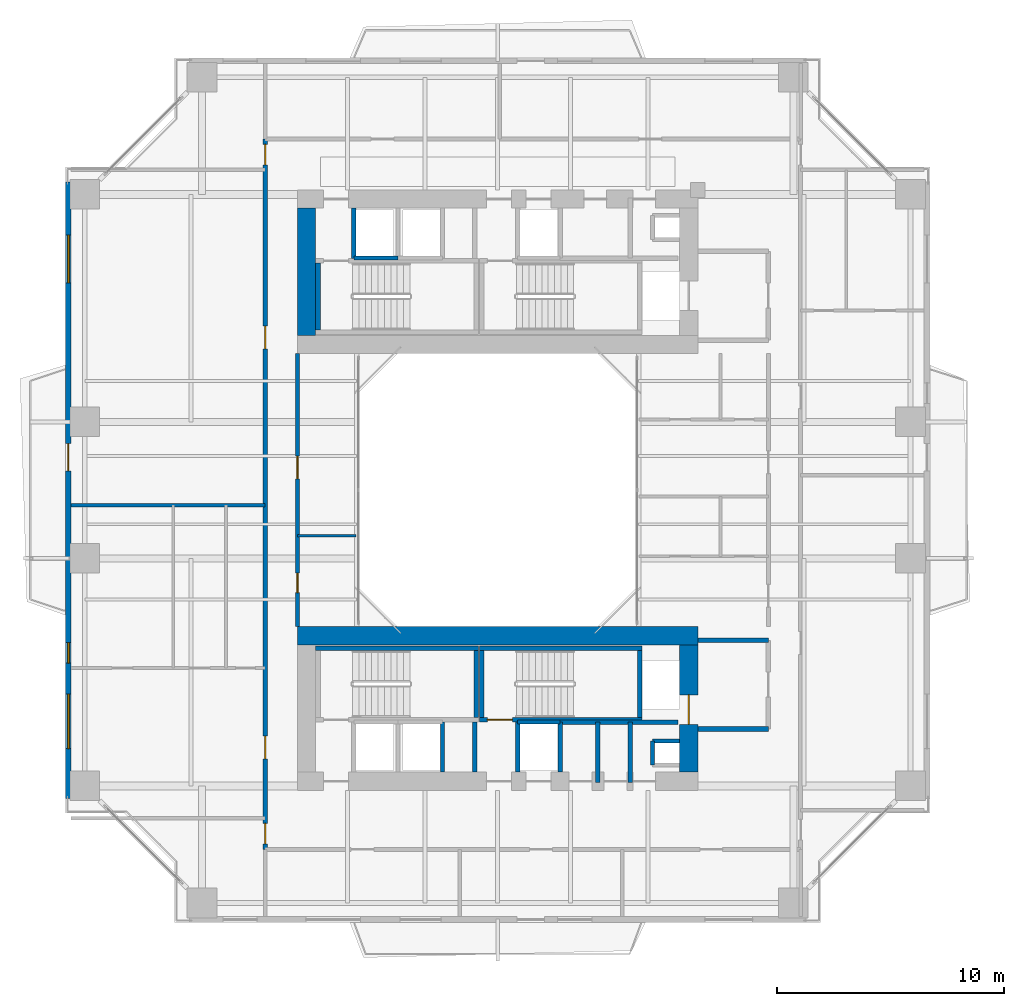
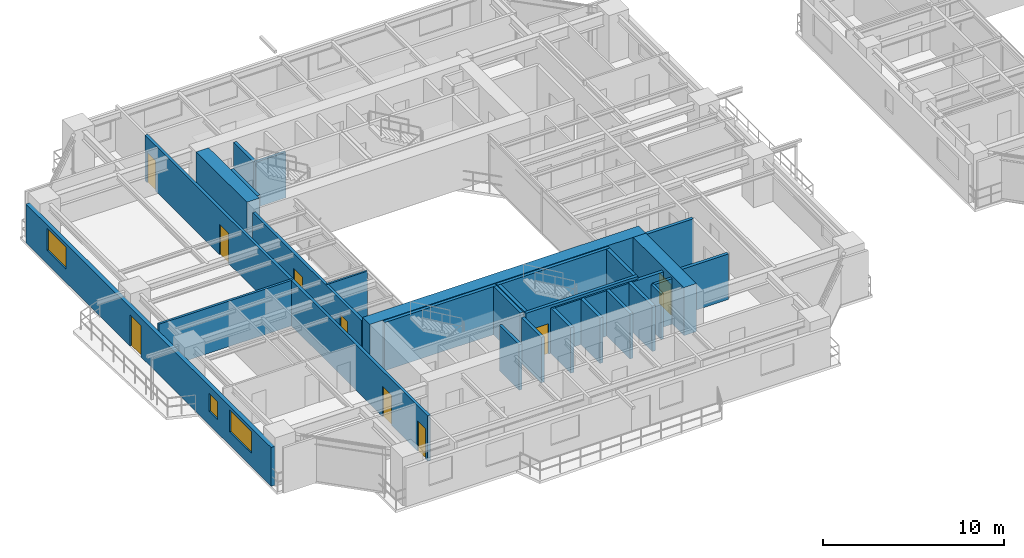
# One storey, part 13 of 23: 29 walls, 9 doors, 3 windows, 12 openings.
"""IFC4 building model written with IfcOpenShell, lengths in metres."""

from ifc_helpers import new_model, si_unit, direction, frame, frame_2d, origin, place, context, subcontext, project, spatial, rectangle, extrude, source, transform, mapped, material, layer, layer_set, type_object, element, fill, save


model = new_model("IFC4")

# Units and contexts
model_context = context("Model", 3, precision=1e-05, world=origin(), true_north=direction((0.0, 1.0)))
body_context = subcontext(model_context, "Body", "Model", "MODEL_VIEW")
ifc_project = project(units=[si_unit("LENGTHUNIT", "METRE"), si_unit("AREAUNIT", "SQUARE_METRE"), si_unit("VOLUMEUNIT", "CUBIC_METRE"), si_unit("PLANEANGLEUNIT", "RADIAN"), si_unit("MASSUNIT", "GRAM", prefix="KILO"), si_unit("THERMODYNAMICTEMPERATUREUNIT", "KELVIN"), si_unit("POWERUNIT", "WATT")], contexts=[model_context])

# Site, building, storey
site_placement = place(None, origin())
site = spatial("IfcSite", under=ifc_project, at=site_placement, CompositionType="ELEMENT")
building_placement = place(site_placement, origin())
building = spatial("IfcBuilding", under=site, at=building_placement, Name="Qiaomeng Ring Towers", CompositionType="ELEMENT")
storey_placement = place(building_placement, frame((0.0, 0.0, 26.25)))
storey = spatial("IfcBuildingStorey", under=building, at=storey_placement, Name="L06", CompositionType="ELEMENT", Elevation=26.25)

# Wall, openings, windows, door
ifc_material_1 = material(Name="Precast concrete C40", Category="concrete")
ifc_layer_1 = layer(ifc_material_1, 0.25, Name="Precast concrete C40")
ifc_layer_set_1 = layer_set([ifc_layer_1], Name="Precast concrete C40")
wall_type_1 = type_object("IfcWallType", Name="ARC-WL-EW1", PredefinedType="STANDARD", material=ifc_layer_set_1)
wall_1_placement = place(storey_placement, frame((0.125, 9.449951171875, 0.0), z_axis=(0.0, 0.0, 1.0), x_axis=(0.0, 1.0, 0.0)))
wall_1 = element("IfcWall", 1, at=wall_1_placement, inside=storey, type_object=wall_type_1, Name="L06 Tower 1 W Exterior Wall", PredefinedType="STANDARD", context=body_context, shape_type="SweptSolid", body=[
    extrude(rectangle(XDim=27.10009765625, YDim=0.25, at=frame_2d((13.550048828125, 0.0))), origin(), (0.0, 0.0, 1.0), 2.610107421875),
])
opening_1_placement = place(wall_1_placement, frame((14.39990234375, 0.0, 0.0)))
opening_1 = element("IfcOpeningElement", 2, at=opening_1_placement, cuts=wall_1, Name="Opening BD1", PredefinedType="OPENING", context=body_context, shape_type="SweptSolid", body=[
    extrude(rectangle(XDim=1.199951171875, YDim=2.10009765625, at=frame_2d((0.60009765625, 1.050048828125))), frame((0.0, 0.135009765625, 0.0), z_axis=(0.0, -1.0, 0.0), x_axis=(1.0, 0.0, 0.0)), (0.0, 0.0, 1.0), 0.27001953125),
])
opening_2_placement = place(wall_1_placement, frame((2.18798828125, 0.0, 0.89990234375)))
opening_2 = element("IfcOpeningElement", 3, at=opening_2_placement, cuts=wall_1, Name="Opening WN6", PredefinedType="OPENING", context=body_context, shape_type="SweptSolid", body=[
    extrude(rectangle(XDim=2.39990234375, YDim=1.47998046875, at=frame_2d((1.199951171875, 0.739990234375))), frame((0.0, 0.135009765625, 0.0), z_axis=(0.0, -1.0, 0.0), x_axis=(1.0, 0.0, 0.0)), (0.0, 0.0, 1.0), 0.27001953125),
])
opening_3_placement = place(wall_1_placement, frame((22.6630859375, 0.0, 0.89990234375)))
opening_3 = element("IfcOpeningElement", 4, at=opening_3_placement, cuts=wall_1, Name="Opening WN4", PredefinedType="OPENING", context=body_context, shape_type="SweptSolid", body=[
    extrude(rectangle(XDim=2.10009765625, YDim=1.47998046875, at=frame_2d((1.050048828125, 0.739990234375))), frame((0.0, 0.135009765625, 0.0), z_axis=(0.0, -1.0, 0.0), x_axis=(1.0, 0.0, 0.0)), (0.0, 0.0, 1.0), 0.27001953125),
])
opening_4_placement = place(wall_1_placement, frame((5.949951171875, 0.0, 0.89990234375)))
opening_4 = element("IfcOpeningElement", 5, at=opening_4_placement, cuts=wall_1, Name="Opening WN5", PredefinedType="OPENING", context=body_context, shape_type="SweptSolid", body=[
    extrude(rectangle(XDim=0.89990234375, YDim=1.199951171875, at=frame_2d((0.449951171875, 0.60009765625))), frame((0.0, 0.135009765625, 0.0), z_axis=(0.0, -1.0, 0.0), x_axis=(1.0, 0.0, 0.0)), (0.0, 0.0, 1.0), 0.27001953125),
])
ifc_material_2 = material(Name="Low-E dark-grey laminated double glazing", Category="glass")
window_type_1 = type_object("IfcWindowType", Name="ARC-WN-4", PartitioningType="TRIPLE_PANEL_VERTICAL", PredefinedType="WINDOW", material=ifc_material_2)
shared_shape_1 = source(origin(), body_context, "Body", "SweptSolid", [
    extrude(rectangle(XDim=2.10009765625, YDim=1.47998046875, at=frame_2d((1.050048828125, 0.739990234375))), frame((0.0, 0.030029296875, 0.0), z_axis=(0.0, -1.0, 0.0), x_axis=(1.0, 0.0, 0.0)), (0.0, 0.0, 1.0), 0.06005859375),
])
window_1_placement = place(opening_3_placement, origin())
window_1 = element("IfcWindow", 6, at=window_1_placement, inside=storey, type_object=window_type_1, Name="L06 Exterior Window WN4", OverallHeight=1.47998046875, OverallWidth=2.10009765625, PartitioningType="TRIPLE_PANEL_VERTICAL", PredefinedType="WINDOW", context=body_context, shape_type="MappedRepresentation", body=[
    mapped(shared_shape_1, transform((0.0, 0.0, 0.0), x_axis=(1.0, 0.0, 0.0), y_axis=(0.0, 1.0, 0.0), z_axis=(0.0, 0.0, 1.0), scale=1.0)),
])
fill(opening_3, window_1)
window_type_2 = type_object("IfcWindowType", Name="ARC-WN-6", PartitioningType="TRIPLE_PANEL_VERTICAL", PredefinedType="WINDOW", material=ifc_material_2)
shared_shape_2 = source(origin(), body_context, "Body", "SweptSolid", [
    extrude(rectangle(XDim=2.39990234375, YDim=1.47998046875, at=frame_2d((1.199951171875, 0.739990234375))), frame((0.0, 0.030029296875, 0.0), z_axis=(0.0, -1.0, 0.0), x_axis=(1.0, 0.0, 0.0)), (0.0, 0.0, 1.0), 0.06005859375),
])
window_2_placement = place(opening_2_placement, origin())
window_2 = element("IfcWindow", 7, at=window_2_placement, inside=storey, type_object=window_type_2, Name="L06 Exterior Window WN6", OverallHeight=1.47998046875, OverallWidth=2.39990234375, PartitioningType="TRIPLE_PANEL_VERTICAL", PredefinedType="WINDOW", context=body_context, shape_type="MappedRepresentation", body=[
    mapped(shared_shape_2, transform((0.0, 0.0, 0.0), x_axis=(1.0, 0.0, 0.0), y_axis=(0.0, 1.0, 0.0), z_axis=(0.0, 0.0, 1.0), scale=1.0)),
])
fill(opening_2, window_2)
door_type_1 = type_object("IfcDoorType", Name="ARC-DR-BD1", OperationType="NOTDEFINED", PredefinedType="DOOR", material=ifc_material_2)
shared_shape_3 = source(origin(), body_context, "Body", "SweptSolid", [
    extrude(rectangle(XDim=1.199951171875, YDim=2.10009765625, at=frame_2d((0.60009765625, 1.050048828125))), frame((0.0, 0.02490234375, 0.0), z_axis=(0.0, -1.0, 0.0), x_axis=(1.0, 0.0, 0.0)), (0.0, 0.0, 1.0), 0.050048828125),
])
door_1_placement = place(opening_1_placement, frame((1.199951171875, 0.0, 0.0), z_axis=(0.0, 0.0, 1.0), x_axis=(-1.0, 0.0, 0.0)))
door_1 = element("IfcDoor", 8, at=door_1_placement, inside=storey, type_object=door_type_1, Name="L06 W Balcony Glazed Door", OperationType="SINGLE_SWING_LEFT", OverallHeight=2.10009765625, OverallWidth=1.199951171875, PredefinedType="DOOR", context=body_context, shape_type="MappedRepresentation", body=[
    mapped(shared_shape_3, transform((0.0, 0.0, 0.0), x_axis=(1.0, 0.0, 0.0), y_axis=(0.0, 1.0, 0.0), z_axis=(0.0, 0.0, 1.0), scale=1.0)),
])
fill(opening_1, door_1)
window_type_3 = type_object("IfcWindowType", Name="ARC-WN-5", PartitioningType="SINGLE_PANEL", PredefinedType="WINDOW", material=ifc_material_2)
shared_shape_4 = source(origin(), body_context, "Body", "SweptSolid", [
    extrude(rectangle(XDim=0.89990234375, YDim=1.199951171875, at=frame_2d((0.449951171875, 0.60009765625))), frame((0.0, 0.030029296875, 0.0), z_axis=(0.0, -1.0, 0.0), x_axis=(1.0, 0.0, 0.0)), (0.0, 0.0, 1.0), 0.06005859375),
])
window_3_placement = place(opening_4_placement, origin())
window_3 = element("IfcWindow", 9, at=window_3_placement, inside=storey, type_object=window_type_3, Name="L06 Exterior Window WN5", OverallHeight=1.199951171875, OverallWidth=0.89990234375, PartitioningType="SINGLE_PANEL", PredefinedType="WINDOW", context=body_context, shape_type="MappedRepresentation", body=[
    mapped(shared_shape_4, transform((0.0, 0.0, 0.0), x_axis=(1.0, 0.0, 0.0), y_axis=(0.0, 1.0, 0.0), z_axis=(0.0, 0.0, 1.0), scale=1.0)),
])
fill(opening_4, window_3)

# Walls
ifc_material_3 = material(Name="Autoclaved aerated concrete block", Category="concrete")
ifc_layer_2 = layer(ifc_material_3, 0.199951171875, Name="Autoclaved aerated concrete block")
ifc_layer_set_2 = layer_set([ifc_layer_2], Name="Autoclaved aerated concrete block")
wall_type_2 = type_object("IfcWallType", Name="ARC-WL-PW1", PredefinedType="PARTITIONING", material=ifc_layer_set_2)
for number, where, z_axis, x_axis, name in (
    (10, (27.800048828125, 16.39990234375, 0.0), (0.0, 0.0, 1.0), (1.0, 0.0, 0.0), "L06 Interior Wall PW1"),
    (11, (27.800048828125, 12.5, 0.0), (0.0, 0.0, 1.0), (1.0, 0.0, 0.0), "L06 Interior Wall PW1"),
):
    element("IfcWall", number, at=place(storey_placement, frame(where, z_axis=z_axis, x_axis=x_axis)), inside=storey, type_object=wall_type_2, Name=name, PredefinedType="PARTITIONING", context=body_context, shape_type="SweptSolid", body=[
        extrude(rectangle(XDim=3.099853515625, YDim=0.199951171875, at=frame_2d((1.5498046875, 0.0))), origin(), (0.0, 0.0, 1.0), 3.070068359375),
    ])
for number, where, z_axis, x_axis, name in (
    (12, (12.679931640625, 33.18994140625, 0.0), (0.0, 0.0, 1.0), (0.0, 1.0, 0.0), "L06 Interior Wall PW1"),
    (13, (18.0, 10.60009765625, 0.0), (0.0, 0.0, 1.0), (0.0, 1.0, 0.0), "L06 Interior Wall PW1"),
    (14, (19.8798828125, 10.60009765625, 0.0), (0.0, 0.0, 1.0), (0.0, 1.0, 0.0), "L06 Interior Wall PW1"),
):
    element("IfcWall", number, at=place(storey_placement, frame(where, z_axis=z_axis, x_axis=x_axis)), inside=storey, type_object=wall_type_2, Name=name, PredefinedType="PARTITIONING", context=body_context, shape_type="SweptSolid", body=[
        extrude(rectangle(XDim=2.2099609375, YDim=0.199951171875, at=frame_2d((1.10498046875, 0.0))), origin(), (0.0, 0.0, 1.0), 3.070068359375),
    ])
wall_2_placement = place(storey_placement, frame((24.820068359375, 10.14990234375, 0.0), z_axis=(0.0, 0.0, 1.0), x_axis=(0.0, 1.0, 0.0)))
element("IfcWall", 15, at=wall_2_placement, inside=storey, type_object=wall_type_2, Name="L06 Interior Wall PW1", PredefinedType="PARTITIONING", context=body_context, shape_type="SweptSolid", body=[
    extrude(rectangle(XDim=2.650146484375, YDim=0.199951171875, at=frame_2d((1.3251953125, 0.0))), origin(), (0.0, 0.0, 1.0), 3.070068359375),
])
wall_3_placement = place(storey_placement, frame((21.75, 10.60009765625, 0.0), z_axis=(0.0, 0.0, 1.0), x_axis=(0.0, 1.0, 0.0)))
element("IfcWall", 16, at=wall_3_placement, inside=storey, type_object=wall_type_2, Name="L06 Interior Wall PW1", PredefinedType="PARTITIONING", context=body_context, shape_type="SweptSolid", body=[
    extrude(rectangle(XDim=2.199951171875, YDim=0.199951171875, at=frame_2d((1.10009765625, 0.0))), origin(), (0.0, 0.0, 1.0), 3.070068359375),
])
wall_4_placement = place(storey_placement, frame((23.389892578125, 10.14990234375, 0.0), z_axis=(0.0, 0.0, 1.0), x_axis=(0.0, 1.0, 0.0)))
element("IfcWall", 17, at=wall_4_placement, inside=storey, type_object=wall_type_2, Name="L06 Interior Wall PW1", PredefinedType="PARTITIONING", context=body_context, shape_type="SweptSolid", body=[
    extrude(rectangle(XDim=2.650146484375, YDim=0.199951171875, at=frame_2d((1.3251953125, 0.0))), origin(), (0.0, 0.0, 1.0), 3.070068359375),
])
wall_5_placement = place(storey_placement, frame((21.75, 12.800048828125, 0.0), z_axis=(0.0, 0.0, 1.0), x_axis=(1.0, 0.0, 0.0)))
element("IfcWall", 18, at=wall_5_placement, inside=storey, type_object=wall_type_2, Name="L06 Interior Wall PW1", PredefinedType="PARTITIONING", context=body_context, shape_type="SweptSolid", body=[
    extrude(rectangle(XDim=5.169921875, YDim=0.199951171875, at=frame_2d((2.5849609375, 0.0))), origin(), (0.0, 0.0, 1.0), 3.070068359375),
])

# Wall, openings, doors
ifc_layer_3 = layer(ifc_material_3, 0.179931640625, Name="Autoclaved aerated concrete block")
ifc_layer_set_3 = layer_set([ifc_layer_3], Name="Autoclaved aerated concrete block")
wall_type_3 = type_object("IfcWallType", Name="ARC-WL-PW2", PredefinedType="PARTITIONING", material=ifc_layer_set_3)
wall_6_placement = place(storey_placement, frame((8.780029296875, 7.2099609375, 0.0), z_axis=(0.0, 0.0, 1.0), x_axis=(0.0, 1.0, 0.0)))
wall_6 = element("IfcWall", 19, at=wall_6_placement, inside=storey, type_object=wall_type_3, Name="L06 Interior Wall PW2", PredefinedType="PARTITIONING", context=body_context, shape_type="SweptSolid", body=[
    extrude(rectangle(XDim=31.22998046875, YDim=0.179931640625, at=frame_2d((15.614990234375, 0.0))), origin(), (0.0, 0.0, 1.0), 3.070068359375),
])
opening_5_placement = place(wall_6_placement, frame((30.090087890625, 0.0, 0.0)))
opening_5 = element("IfcOpeningElement", 20, at=opening_5_placement, cuts=wall_6, Name="Opening ID1", PredefinedType="OPENING", context=body_context, shape_type="SweptSolid", body=[
    extrude(rectangle(XDim=0.89990234375, YDim=2.050048828125, at=frame_2d((0.449951171875, 1.02490234375))), frame((0.0, 0.099853515625, 0.0), z_axis=(0.0, -1.0, 0.0), x_axis=(1.0, 0.0, 0.0)), (0.0, 0.0, 1.0), 0.199951171875),
])
opening_6_placement = place(wall_6_placement, frame((0.239990234375, 0.0, 0.0)))
opening_6 = element("IfcOpeningElement", 21, at=opening_6_placement, cuts=wall_6, Name="Opening ID1", PredefinedType="OPENING", context=body_context, shape_type="SweptSolid", body=[
    extrude(rectangle(XDim=0.89990234375, YDim=2.050048828125, at=frame_2d((0.449951171875, 1.02490234375))), frame((0.0, 0.099853515625, 0.0), z_axis=(0.0, -1.0, 0.0), x_axis=(1.0, 0.0, 0.0)), (0.0, 0.0, 1.0), 0.199951171875),
])
opening_7_placement = place(wall_6_placement, frame((3.97509765625, 0.0, 0.0)))
opening_7 = element("IfcOpeningElement", 22, at=opening_7_placement, cuts=wall_6, Name="Opening FD4", PredefinedType="OPENING", context=body_context, shape_type="SweptSolid", body=[
    extrude(rectangle(XDim=1.0, YDim=2.050048828125, at=frame_2d((0.5, 1.02490234375))), frame((0.0, 0.099853515625, 0.0), z_axis=(0.0, -1.0, 0.0), x_axis=(1.0, 0.0, 0.0)), (0.0, 0.0, 1.0), 0.199951171875),
])
opening_8_placement = place(wall_6_placement, frame((22.0, 0.0, 0.0)))
opening_8 = element("IfcOpeningElement", 23, at=opening_8_placement, cuts=wall_6, Name="Opening FD4", PredefinedType="OPENING", context=body_context, shape_type="SweptSolid", body=[
    extrude(rectangle(XDim=1.0, YDim=2.050048828125, at=frame_2d((0.5, 1.02490234375))), frame((0.0, 0.099853515625, 0.0), z_axis=(0.0, -1.0, 0.0), x_axis=(1.0, 0.0, 0.0)), (0.0, 0.0, 1.0), 0.199951171875),
])
ifc_material_4 = material(Name="Engineered fire-rated oak timber", Category="wood")
door_type_2 = type_object("IfcDoorType", Name="ARC-DR-FD4", OperationType="NOTDEFINED", PredefinedType="DOOR", material=ifc_material_4)
shared_shape_5 = source(origin(), body_context, "Body", "SweptSolid", [
    extrude(rectangle(XDim=1.0, YDim=2.050048828125, at=frame_2d((0.5, 1.02490234375))), frame((0.0, 0.02490234375, 0.0), z_axis=(0.0, -1.0, 0.0), x_axis=(1.0, 0.0, 0.0)), (0.0, 0.0, 1.0), 0.050048828125),
])
door_2_placement = place(opening_7_placement, origin())
door_2 = element("IfcDoor", 24, at=door_2_placement, inside=storey, type_object=door_type_2, Name="L06 Door FD4", OperationType="SINGLE_SWING_LEFT", OverallHeight=2.050048828125, OverallWidth=1.0, PredefinedType="DOOR", context=body_context, shape_type="MappedRepresentation", body=[
    mapped(shared_shape_5, transform((0.0, 0.0, 0.0), x_axis=(1.0, 0.0, 0.0), y_axis=(0.0, 1.0, 0.0), z_axis=(0.0, 0.0, 1.0), scale=1.0)),
])
fill(opening_7, door_2)
door_3_placement = place(opening_8_placement, origin())
door_3 = element("IfcDoor", 25, at=door_3_placement, inside=storey, type_object=door_type_2, Name="L06 Door FD4", OperationType="SINGLE_SWING_RIGHT", OverallHeight=2.050048828125, OverallWidth=1.0, PredefinedType="DOOR", context=body_context, shape_type="MappedRepresentation", body=[
    mapped(shared_shape_5, transform((0.0, 0.0, 0.0), x_axis=(1.0, 0.0, 0.0), y_axis=(0.0, 1.0, 0.0), z_axis=(0.0, 0.0, 1.0), scale=1.0)),
])
fill(opening_8, door_3)
ifc_material_5 = material(Name="Engineered oak timber", Category="wood")
door_type_3 = type_object("IfcDoorType", Name="ARC-DR-ID1", OperationType="NOTDEFINED", PredefinedType="DOOR", material=ifc_material_5)
shared_shape_6 = source(origin(), body_context, "Body", "SweptSolid", [
    extrude(rectangle(XDim=0.89990234375, YDim=2.050048828125, at=frame_2d((0.449951171875, 1.02490234375))), frame((0.0, 0.02490234375, 0.0), z_axis=(0.0, -1.0, 0.0), x_axis=(1.0, 0.0, 0.0)), (0.0, 0.0, 1.0), 0.050048828125),
])
door_4_placement = place(opening_5_placement, origin())
door_4 = element("IfcDoor", 26, at=door_4_placement, inside=storey, type_object=door_type_3, Name="L06 Door ID1", OperationType="SINGLE_SWING_RIGHT", OverallHeight=2.050048828125, OverallWidth=0.89990234375, PredefinedType="DOOR", context=body_context, shape_type="MappedRepresentation", body=[
    mapped(shared_shape_6, transform((0.0, 0.0, 0.0), x_axis=(1.0, 0.0, 0.0), y_axis=(0.0, 1.0, 0.0), z_axis=(0.0, 0.0, 1.0), scale=1.0)),
])
fill(opening_5, door_4)
door_5_placement = place(opening_6_placement, origin())
door_5 = element("IfcDoor", 27, at=door_5_placement, inside=storey, type_object=door_type_3, Name="L06 Door ID1", OperationType="SINGLE_SWING_LEFT", OverallHeight=2.050048828125, OverallWidth=0.89990234375, PredefinedType="DOOR", context=body_context, shape_type="MappedRepresentation", body=[
    mapped(shared_shape_6, transform((0.0, 0.0, 0.0), x_axis=(1.0, 0.0, 0.0), y_axis=(0.0, 1.0, 0.0), z_axis=(0.0, 0.0, 1.0), scale=1.0)),
])
fill(opening_6, door_5)

wall_7_placement = place(storey_placement, frame((10.199951171875, 17.0, 0.0), z_axis=(0.0, 0.0, 1.0), x_axis=(0.0, 1.0, 0.0)))
wall_7 = element("IfcWall", 28, at=wall_7_placement, inside=storey, type_object=wall_type_3, Name="L06 Interior Wall PW2", PredefinedType="PARTITIONING", context=body_context, shape_type="SweptSolid", body=[
    extrude(rectangle(XDim=12.0, YDim=0.179931640625, at=frame_2d((6.0, 0.0))), origin(), (0.0, 0.0, 1.0), 3.070068359375),
])
opening_9_placement = place(wall_7_placement, frame((1.5, 0.0, 0.0)))
opening_9 = element("IfcOpeningElement", 29, at=opening_9_placement, cuts=wall_7, Name="Opening ID2", PredefinedType="OPENING", context=body_context, shape_type="SweptSolid", body=[
    extrude(rectangle(XDim=0.85009765625, YDim=2.050048828125, at=frame_2d((0.425048828125, 1.02490234375))), frame((0.0, 0.099853515625, 0.0), z_axis=(0.0, -1.0, 0.0), x_axis=(1.0, 0.0, 0.0)), (0.0, 0.0, 1.0), 0.199951171875),
])
opening_10_placement = place(wall_7_placement, frame((6.5, 0.0, 0.0)))
opening_10 = element("IfcOpeningElement", 30, at=opening_10_placement, cuts=wall_7, Name="Opening FD4", PredefinedType="OPENING", context=body_context, shape_type="SweptSolid", body=[
    extrude(rectangle(XDim=1.0, YDim=2.050048828125, at=frame_2d((0.5, 1.02490234375))), frame((0.0, 0.099853515625, 0.0), z_axis=(0.0, -1.0, 0.0), x_axis=(1.0, 0.0, 0.0)), (0.0, 0.0, 1.0), 0.199951171875),
])
door_6_placement = place(opening_10_placement, origin())
door_6 = element("IfcDoor", 31, at=door_6_placement, inside=storey, type_object=door_type_2, Name="L06 Door FD4", OperationType="SINGLE_SWING_RIGHT", OverallHeight=2.050048828125, OverallWidth=1.0, PredefinedType="DOOR", context=body_context, shape_type="MappedRepresentation", body=[
    mapped(shared_shape_5, transform((0.0, 0.0, 0.0), x_axis=(1.0, 0.0, 0.0), y_axis=(0.0, 1.0, 0.0), z_axis=(0.0, 0.0, 1.0), scale=1.0)),
])
fill(opening_10, door_6)
ifc_material_6 = material(Name="Moisture-resistant engineered timber", Category="wood")
door_type_4 = type_object("IfcDoorType", Name="ARC-DR-ID2", OperationType="NOTDEFINED", PredefinedType="DOOR", material=ifc_material_6)
shared_shape_7 = source(origin(), body_context, "Body", "SweptSolid", [
    extrude(rectangle(XDim=0.85009765625, YDim=2.050048828125, at=frame_2d((0.425048828125, 1.02490234375))), frame((0.0, 0.02490234375, 0.0), z_axis=(0.0, -1.0, 0.0), x_axis=(1.0, 0.0, 0.0)), (0.0, 0.0, 1.0), 0.050048828125),
])
door_7_placement = place(opening_9_placement, origin())
door_7 = element("IfcDoor", 32, at=door_7_placement, inside=storey, type_object=door_type_4, Name="L06 Door ID2", OperationType="SINGLE_SWING_LEFT", OverallHeight=2.050048828125, OverallWidth=0.85009765625, PredefinedType="DOOR", context=body_context, shape_type="MappedRepresentation", body=[
    mapped(shared_shape_7, transform((0.0, 0.0, 0.0), x_axis=(1.0, 0.0, 0.0), y_axis=(0.0, 1.0, 0.0), z_axis=(0.0, 0.0, 1.0), scale=1.0)),
])
fill(opening_9, door_7)

# Walls
ifc_material_7 = material(Name="Gypsum fireboard steel-stud partition", Category="steel")
ifc_layer_4 = layer(ifc_material_7, 0.14990234375, Name="Gypsum fireboard steel-stud partition")
ifc_layer_set_4 = layer_set([ifc_layer_4], Name="Gypsum fireboard steel-stud partition")
wall_type_4 = type_object("IfcWallType", Name="ARC-WL-PW3", PredefinedType="PARTITIONING", material=ifc_layer_set_4)
wall_8_placement = place(storey_placement, frame((0.25, 22.340087890625, 0.0), z_axis=(0.0, 0.0, 1.0), x_axis=(1.0, 0.0, 0.0)))
element("IfcWall", 33, at=wall_8_placement, inside=storey, type_object=wall_type_4, Name="L06 Interior Wall PW3", PredefinedType="PARTITIONING", context=body_context, shape_type="SweptSolid", body=[
    extrude(rectangle(XDim=8.530029296875, YDim=0.14990234375, at=frame_2d((4.26513671875, 0.0))), origin(), (0.0, 0.0, 1.0), 3.070068359375),
])
ifc_material_8 = material(Name="Moisture-resistant gypsum steel-stud partition", Category="steel")
ifc_layer_5 = layer(ifc_material_8, 0.1201171875, Name="Moisture-resistant gypsum steel-stud partition")
ifc_layer_set_5 = layer_set([ifc_layer_5], Name="Moisture-resistant gypsum steel-stud partition")
wall_type_5 = type_object("IfcWallType", Name="ARC-WL-PW4", PredefinedType="PLUMBINGWALL", material=ifc_layer_set_5)
wall_9_placement = place(storey_placement, frame((10.199951171875, 21.0, 0.0), z_axis=(0.0, 0.0, 1.0), x_axis=(1.0, 0.0, 0.0)))
element("IfcWall", 34, at=wall_9_placement, inside=storey, type_object=wall_type_5, Name="L06 Interior Wall PW4", PredefinedType="PLUMBINGWALL", context=body_context, shape_type="SweptSolid", body=[
    extrude(rectangle(XDim=2.580078125, YDim=0.1201171875, at=frame_2d((1.2900390625, 0.0))), origin(), (0.0, 0.0, 1.0), 3.070068359375),
])
ifc_material_9 = material(Name="Concrete C40", Category="concrete")
ifc_layer_6 = layer(ifc_material_9, 0.199951171875, Name="Concrete C40")
ifc_layer_set_6 = layer_set([ifc_layer_6], Name="Concrete C40")
wall_type_6 = type_object("IfcWallType", Name="STR-WL-STSHAFT", PredefinedType="SHEAR", material=ifc_layer_set_6)
wall_10_placement = place(storey_placement, frame((12.679931640625, 33.199951171875, 0.0), z_axis=(0.0, 0.0, 1.0), x_axis=(1.0, 0.0, 0.0)))
element("IfcWall", 35, at=wall_10_placement, inside=storey, type_object=wall_type_6, Name="L06 Lift LP5 Shaft Back Wall", PredefinedType="SHEAR", context=body_context, shape_type="SweptSolid", body=[
    extrude(rectangle(XDim=1.940185546875, YDim=0.179931640625, at=frame_2d((0.97021484375, 0.0))), origin(), (0.0, 0.0, 1.0), 3.070068359375),
])
wall_11_placement = place(storey_placement, frame((25.800048828125, 10.919921875, 0.0), z_axis=(0.0, 0.0, 1.0), x_axis=(0.0, 1.0, 0.0)))
element("IfcWall", 36, at=wall_11_placement, inside=storey, type_object=wall_type_6, Name="L06 Riser RSR1 West Shaft Wall S", PredefinedType="SHEAR", context=body_context, shape_type="SweptSolid", body=[
    extrude(rectangle(XDim=1.06005859375, YDim=0.179931640625, at=frame_2d((0.530029296875, 0.0))), origin(), (0.0, 0.0, 1.0), 3.070068359375),
])
wall_12_placement = place(storey_placement, frame((25.800048828125, 11.97998046875, 0.0), z_axis=(0.0, 0.0, 1.0), x_axis=(1.0, 0.0, 0.0)))
element("IfcWall", 37, at=wall_12_placement, inside=storey, type_object=wall_type_6, Name="L06 Riser RSR1 North Shaft Wall S", PredefinedType="SHEAR", context=body_context, shape_type="SweptSolid", body=[
    extrude(rectangle(XDim=1.199951171875, YDim=0.179931640625, at=frame_2d((0.60009765625, 0.0))), origin(), (0.0, 0.0, 1.0), 3.070068359375),
])
wall_13_placement = place(storey_placement, frame((16.580078125, 10.60009765625, 0.0), z_axis=(0.0, 0.0, 1.0), x_axis=(0.0, 1.0, 0.0)))
element("IfcWall", 38, at=wall_13_placement, inside=storey, type_object=wall_type_6, Name="L06 Lift LP4 East Shaft Wall", PredefinedType="SHEAR", context=body_context, shape_type="SweptSolid", body=[
    extrude(rectangle(XDim=2.199951171875, YDim=0.179931640625, at=frame_2d((1.10009765625, 0.0))), origin(), (0.0, 0.0, 1.0), 3.070068359375),
])
wall_14_placement = place(storey_placement, frame((19.8798828125, 12.800048828125, 0.0), z_axis=(0.0, 0.0, 1.0), x_axis=(1.0, 0.0, 0.0)))
element("IfcWall", 39, at=wall_14_placement, inside=storey, type_object=wall_type_6, Name="L06 Lift LP2 Shaft Back Wall", PredefinedType="SHEAR", context=body_context, shape_type="SweptSolid", body=[
    extrude(rectangle(XDim=1.8701171875, YDim=0.179931640625, at=frame_2d((0.93505859375, 0.0))), origin(), (0.0, 0.0, 1.0), 3.070068359375),
])
wall_15_placement = place(storey_placement, frame((11.10009765625, 30.050048828125, 0.0), z_axis=(0.0, 0.0, 1.0), x_axis=(0.0, 1.0, 0.0)))
element("IfcWall", 40, at=wall_15_placement, inside=storey, type_object=wall_type_6, Name="L06 Stair ST1 West Shaft Shear Wall", PredefinedType="SHEAR", context=body_context, shape_type="SweptSolid", body=[
    extrude(rectangle(XDim=2.93994140625, YDim=0.199951171875, at=frame_2d((1.469970703125, 0.0))), origin(), (0.0, 0.0, 1.0), 3.25),
])
wall_16_placement = place(storey_placement, frame((11.0, 16.050048828125, 0.0), z_axis=(0.0, 0.0, 1.0), x_axis=(1.0, 0.0, 0.0)))
element("IfcWall", 41, at=wall_16_placement, inside=storey, type_object=wall_type_6, Name="L06 Stair ST3 North Shaft Shear Wall", PredefinedType="SHEAR", context=body_context, shape_type="SweptSolid", body=[
    extrude(rectangle(XDim=7.14990234375, YDim=0.199951171875, at=frame_2d((3.574951171875, 0.0))), origin(), (0.0, 0.0, 1.0), 3.25),
])
wall_17_placement = place(storey_placement, frame((18.050048828125, 13.010009765625, 0.0), z_axis=(0.0, 0.0, 1.0), x_axis=(0.0, 1.0, 0.0)))
element("IfcWall", 42, at=wall_17_placement, inside=storey, type_object=wall_type_6, Name="L06 Stair ST3 East Shaft Shear Wall", PredefinedType="SHEAR", context=body_context, shape_type="SweptSolid", body=[
    extrude(rectangle(XDim=2.93994140625, YDim=0.199951171875, at=frame_2d((1.469970703125, 0.0))), origin(), (0.0, 0.0, 1.0), 3.25),
])

# Wall, opening, door
wall_18_placement = place(storey_placement, frame((18.199951171875, 12.909912109375, 0.0), z_axis=(0.0, 0.0, 1.0), x_axis=(1.0, 0.0, 0.0)))
wall_18 = element("IfcWall", 43, at=wall_18_placement, inside=storey, type_object=wall_type_6, Name="L06 Stair ST4 South Shaft Shear Wall", PredefinedType="SHEAR", context=body_context, shape_type="SweptSolid", body=[
    extrude(rectangle(XDim=7.150146484375, YDim=0.199951171875, at=frame_2d((3.5751953125, 0.0))), origin(), (0.0, 0.0, 1.0), 3.25),
])
opening_11_placement = place(wall_18_placement, frame((0.35009765625, 0.0, 0.0)))
opening_11 = element("IfcOpeningElement", 44, at=opening_11_placement, cuts=wall_18, Name="Opening FD3", PredefinedType="OPENING", context=body_context, shape_type="SweptSolid", body=[
    extrude(rectangle(XDim=1.10009765625, YDim=2.050048828125, at=frame_2d((0.550048828125, 1.02490234375))), frame((0.0, 0.10986328125, 0.0), z_axis=(0.0, -1.0, 0.0), x_axis=(1.0, 0.0, 0.0)), (0.0, 0.0, 1.0), 0.219970703125),
])
ifc_material_10 = material(Name="Galvanised steel", Category="steel")
door_type_5 = type_object("IfcDoorType", Name="ARC-DR-FD3", OperationType="NOTDEFINED", PredefinedType="DOOR", material=ifc_material_10)
shared_shape_8 = source(origin(), body_context, "Body", "SweptSolid", [
    extrude(rectangle(XDim=1.10009765625, YDim=2.050048828125, at=frame_2d((0.550048828125, 1.02490234375))), frame((0.0, 0.02490234375, 0.0), z_axis=(0.0, -1.0, 0.0), x_axis=(1.0, 0.0, 0.0)), (0.0, 0.0, 1.0), 0.050048828125),
])
door_8_placement = place(opening_11_placement, frame((1.10009765625, 0.0, 0.0), z_axis=(0.0, 0.0, 1.0), x_axis=(-1.0, 0.0, 0.0)))
door_8 = element("IfcDoor", 45, at=door_8_placement, inside=storey, type_object=door_type_5, Name="L06 Stair ST4 Exit Door", OperationType="SINGLE_SWING_LEFT", OverallHeight=2.050048828125, OverallWidth=1.10009765625, PredefinedType="DOOR", context=body_context, shape_type="MappedRepresentation", body=[
    mapped(shared_shape_8, transform((0.0, 0.0, 0.0), x_axis=(1.0, 0.0, 0.0), y_axis=(0.0, 1.0, 0.0), z_axis=(0.0, 0.0, 1.0), scale=1.0)),
])
fill(opening_11, door_8)

# Walls
wall_19_placement = place(storey_placement, frame((18.199951171875, 16.050048828125, 0.0), z_axis=(0.0, 0.0, 1.0), x_axis=(1.0, 0.0, 0.0)))
element("IfcWall", 46, at=wall_19_placement, inside=storey, type_object=wall_type_6, Name="L06 Stair ST4 North Shaft Shear Wall", PredefinedType="SHEAR", context=body_context, shape_type="SweptSolid", body=[
    extrude(rectangle(XDim=7.150146484375, YDim=0.199951171875, at=frame_2d((3.5751953125, 0.0))), origin(), (0.0, 0.0, 1.0), 3.25),
])
for number, where, z_axis, x_axis, name in (
    (47, (18.300048828125, 13.010009765625, 0.0), (0.0, 0.0, 1.0), (0.0, 1.0, 0.0), "L06 Stair ST4 West Shaft Shear Wall"),
    (48, (25.25, 13.010009765625, 0.0), (0.0, 0.0, 1.0), (0.0, 1.0, 0.0), "L06 Stair ST4 East Shaft Shear Wall"),
):
    element("IfcWall", number, at=place(storey_placement, frame(where, z_axis=z_axis, x_axis=x_axis)), inside=storey, type_object=wall_type_6, Name=name, PredefinedType="SHEAR", context=body_context, shape_type="SweptSolid", body=[
        extrude(rectangle(XDim=2.93994140625, YDim=0.199951171875, at=frame_2d((1.469970703125, 0.0))), origin(), (0.0, 0.0, 1.0), 3.25),
    ])
ifc_material_11 = material(Name="Concrete C60", Category="concrete")
ifc_layer_7 = layer(ifc_material_11, 0.800048828125, Name="Concrete C60")
ifc_layer_set_7 = layer_set([ifc_layer_7], Name="Concrete C60")
wall_type_7 = type_object("IfcWallType", Name="STR-WL-SW1", PredefinedType="SHEAR", material=ifc_layer_set_7)
wall_20_placement = place(storey_placement, frame((10.60009765625, 29.800048828125, 0.0), z_axis=(0.0, 0.0, 1.0), x_axis=(0.0, 1.0, 0.0)))
element("IfcWall", 49, at=wall_20_placement, inside=storey, type_object=wall_type_7, Name="L06 T1NC west core shear wall", PredefinedType="SHEAR", context=body_context, shape_type="SweptSolid", body=[
    extrude(rectangle(XDim=5.599853515625, YDim=0.800048828125, at=frame_2d((2.7998046875, 0.0))), origin(), (0.0, 0.0, 1.0), 3.25),
])
wall_21_placement = place(storey_placement, frame((10.199951171875, 16.60009765625, 0.0), z_axis=(0.0, 0.0, 1.0), x_axis=(1.0, 0.0, 0.0)))
element("IfcWall", 50, at=wall_21_placement, inside=storey, type_object=wall_type_7, Name="L06 T1SC north core shear wall", PredefinedType="SHEAR", context=body_context, shape_type="SweptSolid", body=[
    extrude(rectangle(XDim=17.60009765625, YDim=0.800048828125, at=frame_2d((8.800048828125, 0.0))), origin(), (0.0, 0.0, 1.0), 3.25),
])

# Wall, opening, door
wall_22_placement = place(storey_placement, frame((27.39990234375, 10.60009765625, 0.0), z_axis=(0.0, 0.0, 1.0), x_axis=(0.0, 1.0, 0.0)))
wall_22 = element("IfcWall", 51, at=wall_22_placement, inside=storey, type_object=wall_type_7, Name="L06 T1SC east core shear wall", PredefinedType="SHEAR", context=body_context, shape_type="SweptSolid", body=[
    extrude(rectangle(XDim=5.599853515625, YDim=0.800048828125, at=frame_2d((2.7998046875, 0.0))), origin(), (0.0, 0.0, 1.0), 3.25),
])
opening_12_placement = place(wall_22_placement, frame((2.10009765625, 0.0, 0.0)))
opening_12 = element("IfcOpeningElement", 52, at=opening_12_placement, cuts=wall_22, Name="Opening LD2", PredefinedType="OPENING", context=body_context, shape_type="SweptSolid", body=[
    extrude(rectangle(XDim=1.300048828125, YDim=2.050048828125, at=frame_2d((0.64990234375, 1.02490234375))), frame((0.0, 0.409912109375, 0.0), z_axis=(0.0, -1.0, 0.0), x_axis=(1.0, 0.0, 0.0)), (0.0, 0.0, 1.0), 0.820068359375),
])
ifc_material_12 = material(Name="Stainless steel 316", Category="steel")
door_type_6 = type_object("IfcDoorType", Name="ARC-DR-LD2", OperationType="NOTDEFINED", PredefinedType="DOOR", material=ifc_material_12)
shared_shape_9 = source(origin(), body_context, "Body", "SweptSolid", [
    extrude(rectangle(XDim=1.300048828125, YDim=2.050048828125, at=frame_2d((0.64990234375, 1.02490234375))), frame((0.0, 0.02490234375, 0.0), z_axis=(0.0, -1.0, 0.0), x_axis=(1.0, 0.0, 0.0)), (0.0, 0.0, 1.0), 0.050048828125),
])
door_9_placement = place(opening_12_placement, origin())
door_9 = element("IfcDoor", 53, at=door_9_placement, inside=storey, type_object=door_type_6, Name="L06 Firefighting Lift FL2 Landing Door", OperationType="SLIDING_TO_RIGHT", OverallHeight=2.050048828125, OverallWidth=1.300048828125, PredefinedType="DOOR", context=body_context, shape_type="MappedRepresentation", body=[
    mapped(shared_shape_9, transform((0.0, 0.0, 0.0), x_axis=(1.0, 0.0, 0.0), y_axis=(0.0, 1.0, 0.0), z_axis=(0.0, 0.0, 1.0), scale=1.0)),
])
fill(opening_12, door_9)

save(model, "model.ifc")
